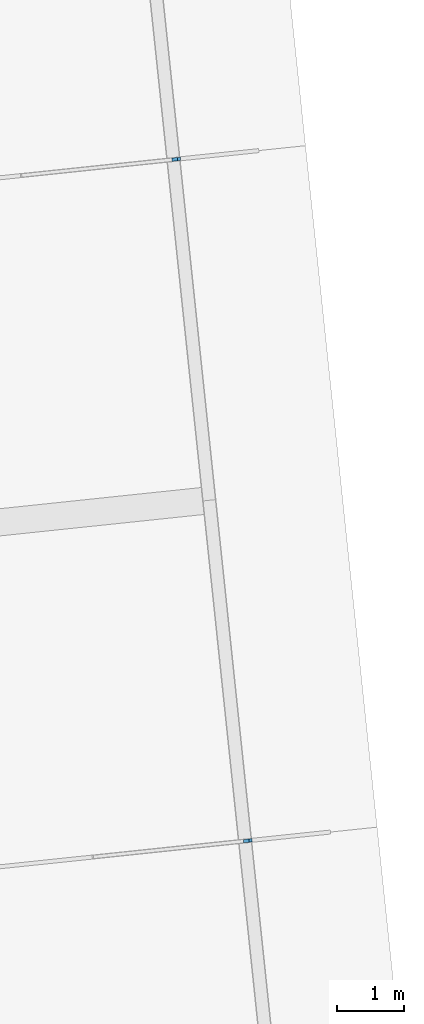
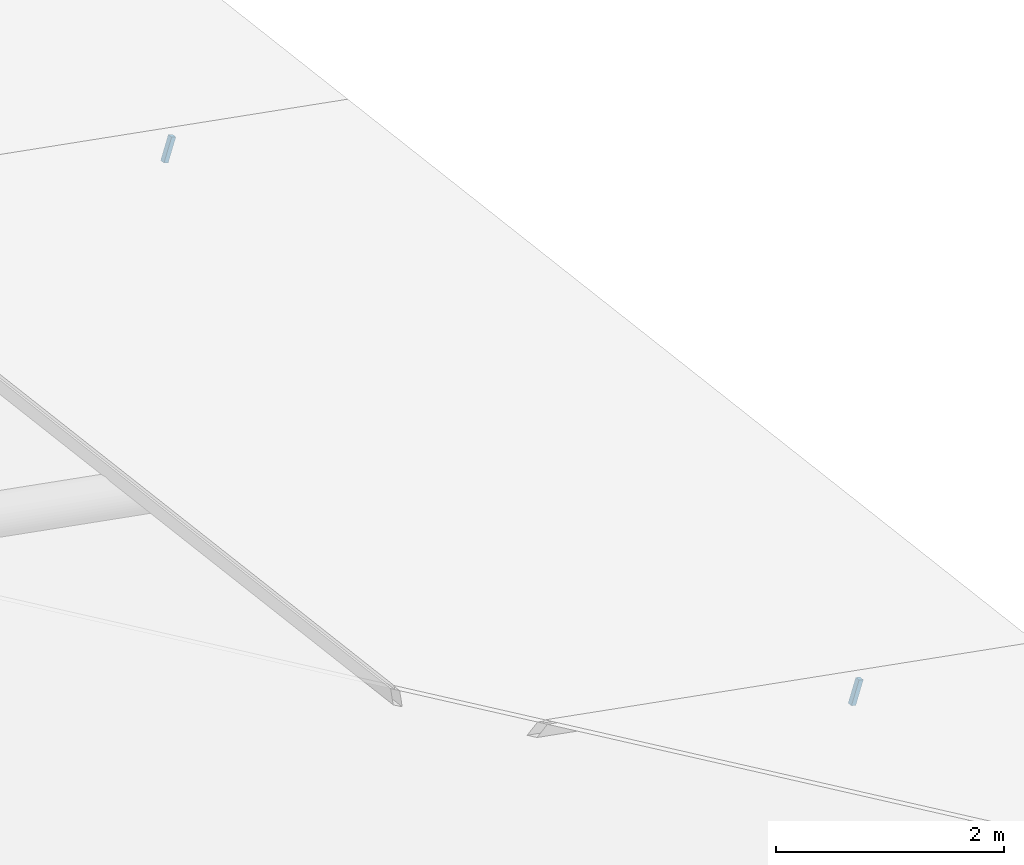
# One storey, part 19 of 20: 2 discrete accessories.
"""IFC4 building model written with IfcOpenShell, lengths in metres."""

import ifcopenshell
import ifcopenshell.guid

model = None  # the IFC model being written
_history = None  # IfcOwnerHistory: only IFC2X3 demands one
_inside = {}  # id of a spatial element -> (the spatial element, [elements in it])
_under = {}  # id of a project, library or spatial element -> (it, [spatial elements below it])
_declared = {}  # id of a project -> (the project, [libraries it declares])
_typed = {}  # id of a type object -> (the type object, [elements of that type])
_made_of = {}  # id of a material, layer set ... -> (it, [elements and type objects made of it])


def new_model(schema):
    """Start an empty IFC model of exactly this schema.

    Asked for "IFC4X3", IfcOpenShell would pick the latest addendum, in which some entities
    have other attributes; the version numbers below select the first issue.
    IFC2X3 requires an IfcOwnerHistory on every rooted entity: one is made here for all.
    """
    global model, _history
    if schema == "IFC4X3":
        model = ifcopenshell.file(schema_version=(4, 3, 0, 0))
    else:
        model = ifcopenshell.file(schema=schema)
    _inside.clear()
    _under.clear()
    _declared.clear()
    _typed.clear()
    _made_of.clear()
    _history = None
    if model.schema == "IFC2X3":
        org = make("IfcOrganization", Name="unknown")
        user = make(
            "IfcPersonAndOrganization",
            ThePerson=make("IfcPerson", FamilyName="unknown"),
            TheOrganization=org,
        )
        app = make(
            "IfcApplication",
            ApplicationDeveloper=org,
            Version="unknown",
            ApplicationFullName="unknown",
            ApplicationIdentifier="unknown",
        )
        _history = make(
            "IfcOwnerHistory",
            OwningUser=user,
            OwningApplication=app,
            ChangeAction="ADDED",
            CreationDate=0,
        )
    return model


def make(cls, **values):
    """One entity of the class cls with the attributes given. An attribute that is None is left unset."""
    return model.create_entity(
        cls, **{name: value for name, value in values.items() if value is not None}
    )


def rooted(cls, **values):
    """An entity with a GlobalId (a new one), such as an element, a storey or a relation."""
    return make(cls, GlobalId=ifcopenshell.guid.new(), OwnerHistory=_history, **values)


def si_unit(unit_type, name, prefix=None):
    """IfcSIUnit, for example si_unit("LENGTHUNIT", "METRE", prefix="MILLI")."""
    return make("IfcSIUnit", UnitType=unit_type, Prefix=prefix, Name=name)


def assignment(units):
    """IfcUnitAssignment: the units of a project."""
    return None if units is None else make("IfcUnitAssignment", Units=units)


def point(xyz):
    """IfcCartesianPoint."""
    return None if xyz is None else make("IfcCartesianPoint", Coordinates=xyz)


def direction(xyz):
    """IfcDirection."""
    return None if xyz is None else make("IfcDirection", DirectionRatios=xyz)


def frame(location, z_axis=None, x_axis=None):
    """IfcAxis2Placement3D, a coordinate frame: its origin and axes. An axis left out is left unset."""
    return make(
        "IfcAxis2Placement3D",
        Location=point(location),
        Axis=direction(z_axis),
        RefDirection=direction(x_axis),
    )


def frame_2d(location, x_axis=None):
    """IfcAxis2Placement2D, a coordinate frame in the plane: its origin and x axis."""
    return make(
        "IfcAxis2Placement2D", Location=point(location), RefDirection=direction(x_axis)
    )


def origin():
    """The frame at (0, 0, 0) with its axes left unset."""
    return frame((0.0, 0.0, 0.0))


def origin_2d():
    """The frame at (0, 0) in the plane with its x axis left unset."""
    return frame_2d((0.0, 0.0))


def place(relative_to, where):
    """IfcLocalPlacement: puts the frame where relative to a parent placement (None: the world)."""
    return make(
        "IfcLocalPlacement", PlacementRelTo=relative_to, RelativePlacement=where
    )


def context(
    kind, dimensions, precision=None, world=None, true_north=None, identifier=None
):
    """IfcGeometricRepresentationContext, for example the 3D "Model" context."""
    return make(
        "IfcGeometricRepresentationContext",
        ContextIdentifier=identifier,
        ContextType=kind,
        CoordinateSpaceDimension=dimensions,
        Precision=precision,
        WorldCoordinateSystem=world,
        TrueNorth=true_north,
    )


def subcontext(parent, identifier, kind, view, scale=None):
    """IfcGeometricRepresentationSubContext, for example "Body" below "Model"."""
    return make(
        "IfcGeometricRepresentationSubContext",
        ContextIdentifier=identifier,
        ContextType=kind,
        ParentContext=parent,
        TargetScale=scale,
        TargetView=view,
    )


def project(units=None, contexts=None):
    """IfcProject with its units and contexts."""
    return rooted(
        "IfcProject",
        Name="project",
        RepresentationContexts=contexts,
        UnitsInContext=assignment(units),
    )


def spatial(cls, under=None, at=None, **own):
    """A site, building, storey or space (cls), placed at a placement, below another one or the project."""
    s = rooted(cls, ObjectPlacement=at, **own)
    if under is not None:
        _under.setdefault(under.id(), (under, []))[1].append(s)
    return s


def profile(cls, at=None, kind="AREA", **sizes):
    """A parametric profile (cls). Its sizes go by their IFC names, for example OverallWidth=200.0."""
    return make(cls, ProfileType=kind, Position=at, **sizes)


def rectangle(**sizes):
    """IfcRectangleProfileDef."""
    return profile("IfcRectangleProfileDef", **sizes)


def extrude(swept, where, along, depth):
    """IfcExtrudedAreaSolid: the profile swept, set in the frame where, extruded along a direction by depth."""
    return make(
        "IfcExtrudedAreaSolid",
        SweptArea=swept,
        Position=where,
        ExtrudedDirection=direction(along),
        Depth=depth,
    )


def shape(context_of_items, identifier, shape_type, items):
    """IfcShapeRepresentation: the items that make up one representation, for example the "Body"."""
    return make(
        "IfcShapeRepresentation",
        ContextOfItems=context_of_items,
        RepresentationIdentifier=identifier,
        RepresentationType=shape_type,
        Items=items,
    )


def material(Name=None, Category=None):
    """IfcMaterial."""
    return make("IfcMaterial", Name=Name, Category=Category)


def material_profile(
    of_material, cross_section, Name=None, Category=None, Priority=None
):
    """IfcMaterialProfile: a cross section and its material."""
    return make(
        "IfcMaterialProfile",
        Name=Name,
        Material=of_material,
        Profile=cross_section,
        Priority=Priority,
        Category=Category,
    )


def profile_set(profiles, Name=None, composite=None):
    """IfcMaterialProfileSet."""
    return make(
        "IfcMaterialProfileSet",
        Name=Name,
        MaterialProfiles=profiles,
        CompositeProfile=composite,
    )


def made_of(thing, what):
    """Note that an element or type object is made of a material, layer set ...; save() writes the relation."""
    if what is not None:
        _made_of.setdefault(what.id(), (what, []))[1].append(thing)
    return thing


def type_object(cls, material=None, **own):
    """A type object (cls), such as IfcWallType, which elements share."""
    return made_of(rooted(cls, **own), material)


def element(
    cls,
    number,
    at=None,
    inside=None,
    cuts=None,
    type_object=None,
    material=None,
    context=None,
    identifier="Body",
    shape_type=None,
    held_by="IfcProductDefinitionShape",
    body=None,
    shapes=None,
    **own,
):
    """One element of the class cls, such as IfcWall. Its Tag is "e" and its number.

    at: its placement. inside: the storey or other place that contains it. cuts: it is an
    opening in that element (IfcRelVoidsElement). A single representation is given by context,
    identifier, shape_type and body (its items); several are given by shapes. held_by: the class
    of the entity that holds the representations. save() writes the other relations.
    """
    e = rooted(cls, Tag="e%d" % number, ObjectPlacement=at, **own)
    if body is not None:
        shapes = [shape(context, identifier, shape_type, body)]
    if shapes is not None:
        e.Representation = make(held_by, Representations=shapes)
    if inside is not None:
        _inside.setdefault(inside.id(), (inside, []))[1].append(e)
    if cuts is not None:
        rooted(
            "IfcRelVoidsElement", RelatingBuildingElement=cuts, RelatedOpeningElement=e
        )
    if type_object is not None:
        _typed.setdefault(type_object.id(), (type_object, []))[1].append(e)
    return made_of(e, material)


def aggregate(whole, parts):
    """IfcRelAggregates: a whole, such as a stair, and the parts it consists of."""
    return rooted("IfcRelAggregates", RelatingObject=whole, RelatedObjects=parts)


def save(model, path):
    """Write the relations noted so far, then the file.

    IfcRelAggregates (storeys below a building ...), IfcRelContainedInSpatialStructure (elements
    in a storey), IfcRelDefinesByType, IfcRelAssociatesMaterial and IfcRelDeclares: one each for
    every whole, place, type object, material and project.
    """
    for whole, parts in _under.values():
        aggregate(whole, parts)
    for where, things in _inside.values():
        rooted(
            "IfcRelContainedInSpatialStructure",
            RelatedElements=things,
            RelatingStructure=where,
        )
    for kind, things in _typed.values():
        rooted("IfcRelDefinesByType", RelatedObjects=things, RelatingType=kind)
    for what, things in _made_of.values():
        rooted("IfcRelAssociatesMaterial", RelatedObjects=things, RelatingMaterial=what)
    for by, libraries in _declared.values():
        rooted("IfcRelDeclares", RelatingContext=by, RelatedDefinitions=libraries)
    model.write(path)


model = new_model("IFC4")

# Units and contexts
model_context = context("Model", 3, precision=1e-05, world=origin(), true_north=direction((0.0, 1.0)))
body_context = subcontext(model_context, "Body", "Model", "MODEL_VIEW")
ifc_project = project(units=[si_unit("LENGTHUNIT", "METRE"), si_unit("AREAUNIT", "SQUARE_METRE"), si_unit("VOLUMEUNIT", "CUBIC_METRE"), si_unit("PLANEANGLEUNIT", "RADIAN"), si_unit("MASSUNIT", "GRAM", prefix="KILO")], contexts=[model_context])

# Site, building, storey
site_placement = place(None, origin())
site = spatial("IfcSite", under=ifc_project, at=site_placement, CompositionType="ELEMENT")
building_placement = place(site_placement, origin())
building = spatial("IfcBuilding", under=site, at=building_placement, Name="Hakoniwa Tower and Hamabe Station Hall", CompositionType="ELEMENT")
storey_placement = place(building_placement, frame((0.0, 0.0, 285.0)))
storey = spatial("IfcBuildingStorey", under=building, at=storey_placement, Name="Roof", CompositionType="ELEMENT", Elevation=285.0)

# Discrete accessories
ifc_material = material(Name="Stainless steel SUS304", Category="steel")
ifc_material_profile = material_profile(ifc_material, rectangle(XDim=0.050048828125, YDim=0.050048828125, at=origin_2d()), Name="CW-4 GLAZING BRACKET 50X50")
ifc_profile_set = profile_set([ifc_material_profile], Name="Stainless steel SUS304")
discrete_accessory_type = type_object("IfcDiscreteAccessoryType", Name="CW-4 GLAZING BRACKET 50X50", PredefinedType="BRACKET", material=ifc_profile_set)
for number, where, z_axis, x_axis, name in (
    (1, (35.459228515625, 11.38525390625, 0.392333984375), (-0.322037839955, -0.034299888279, -0.946105251703), (0.105909841762, -0.994375736539, 0.0), "Glazing bracket"),
    (2, (36.53173828125, 1.181396484375, 0.392333984375), (-0.322037839955, -0.034299888279, -0.946105251703), (0.105909841762, -0.994375736539, 0.0), "Glazing bracket"),
):
    element("IfcDiscreteAccessory", number, at=place(storey_placement, frame(where, z_axis=z_axis, x_axis=x_axis)), inside=storey, type_object=discrete_accessory_type, Name=name, PredefinedType="BRACKET", context=body_context, shape_type="SweptSolid", body=[
        extrude(rectangle(XDim=0.050048828125, YDim=0.050048828125, at=origin_2d()), origin(), (0.0, 0.0, 1.0), 0.25634765625),
    ])

save(model, "model.ifc")
